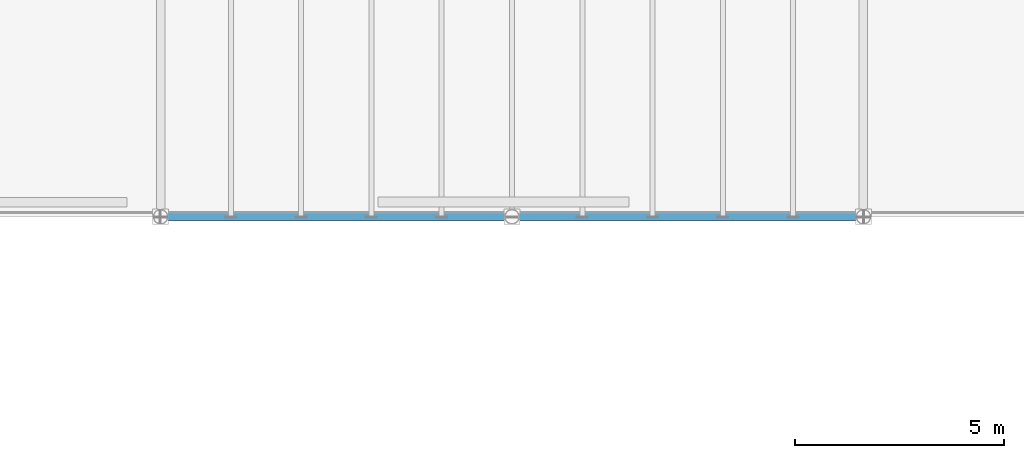
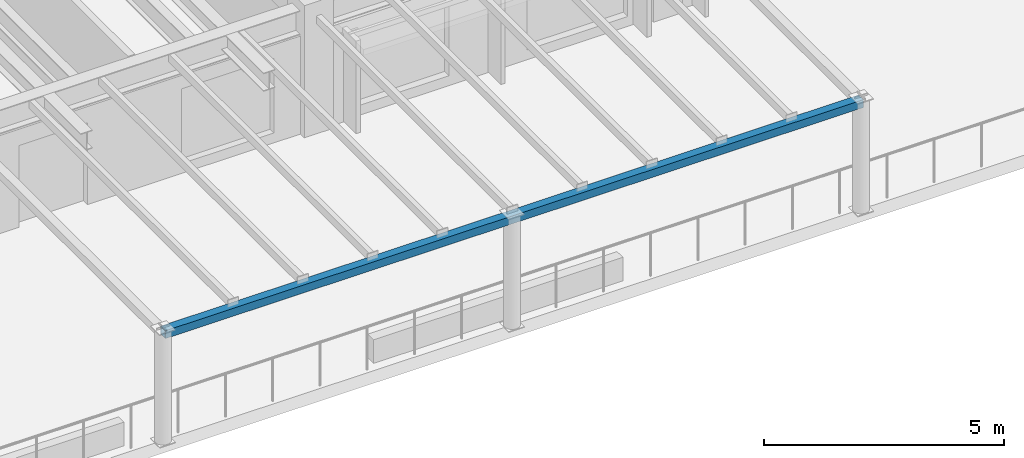
# One storey, part 18 of 111: 1 member.
"""IFC4 building model written with IfcOpenShell, lengths in metres."""

from ifc_helpers import new_model, si_unit, direction, frame, origin, origin_2d, place, context, subcontext, project, spatial, hollow_rectangle, extrude, material, material_profile, profile_set, type_object, element, save


model = new_model("IFC4")

# Units and contexts
model_context = context("Model", 3, precision=1e-05, world=origin(), true_north=direction((0.0, 1.0)))
body_context = subcontext(model_context, "Body", "Model", "MODEL_VIEW")
ifc_project = project(units=[si_unit("LENGTHUNIT", "METRE"), si_unit("AREAUNIT", "SQUARE_METRE"), si_unit("VOLUMEUNIT", "CUBIC_METRE"), si_unit("PLANEANGLEUNIT", "RADIAN"), si_unit("MASSUNIT", "GRAM", prefix="KILO")], contexts=[model_context])

# Site, building, storey
site_placement = place(None, origin())
site = spatial("IfcSite", under=ifc_project, at=site_placement, CompositionType="ELEMENT")
building_placement = place(site_placement, origin())
building = spatial("IfcBuilding", under=site, at=building_placement, Name="Cumbredor Promenade Congress Hotel", CompositionType="ELEMENT")
storey_placement = place(building_placement, frame((0.0, 0.0, 15.1201171875)))
storey = spatial("IfcBuildingStorey", under=building, at=storey_placement, Name="L04", CompositionType="ELEMENT", Elevation=15.1201171875)

# Member
ifc_material = material(Name="Steel ASTM A500 Grade C", Category="steel")
ifc_material_profile = material_profile(ifc_material, hollow_rectangle(XDim=0.199951171875, YDim=0.199951171875, WallThickness=0.012451171875, at=origin_2d()), Name="HSS 200x200x12.5")
ifc_profile_set = profile_set([ifc_material_profile], Name="Steel ASTM A500 Grade C")
member_type = type_object("IfcMemberType", Name="Link Bridge Truss Chord", PredefinedType="CHORD", material=ifc_profile_set)
member_placement = place(storey_placement, frame((58.800048828125, 84.0, 2.75), z_axis=(1.0, 0.0, 0.0), x_axis=(0.0, 1.0, 0.0)))
element("IfcMember", 1, at=member_placement, inside=storey, type_object=member_type, Name="L04 Sky-Garden Pergola Tie Beam 2S", PredefinedType="CHORD", context=body_context, shape_type="SweptSolid", body=[
    extrude(hollow_rectangle(XDim=0.199951171875, YDim=0.199951171875, WallThickness=0.012451171875, at=origin_2d()), origin(), (0.0, 0.0, 1.0), 16.800048828125),
])

save(model, "model.ifc")
